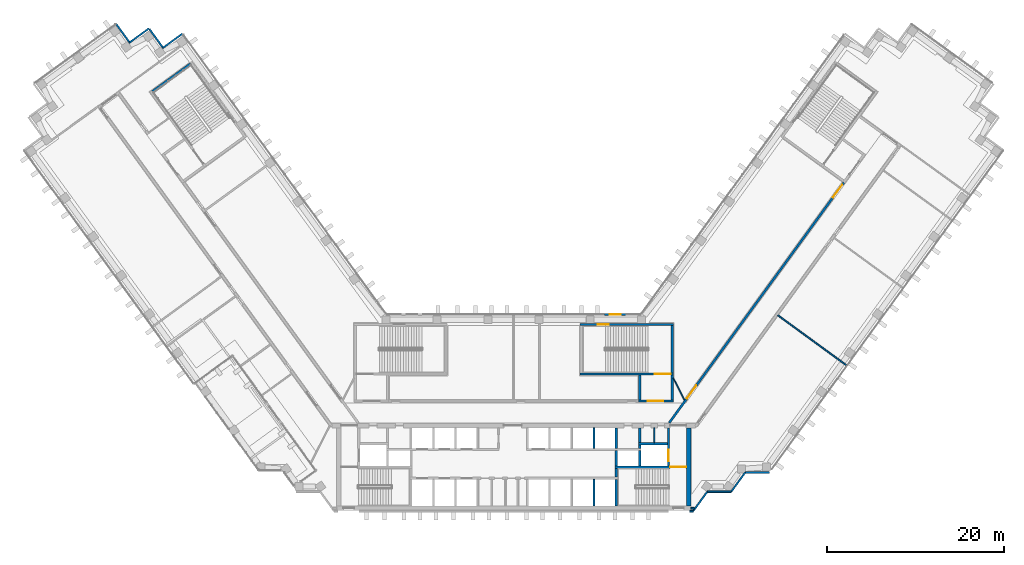
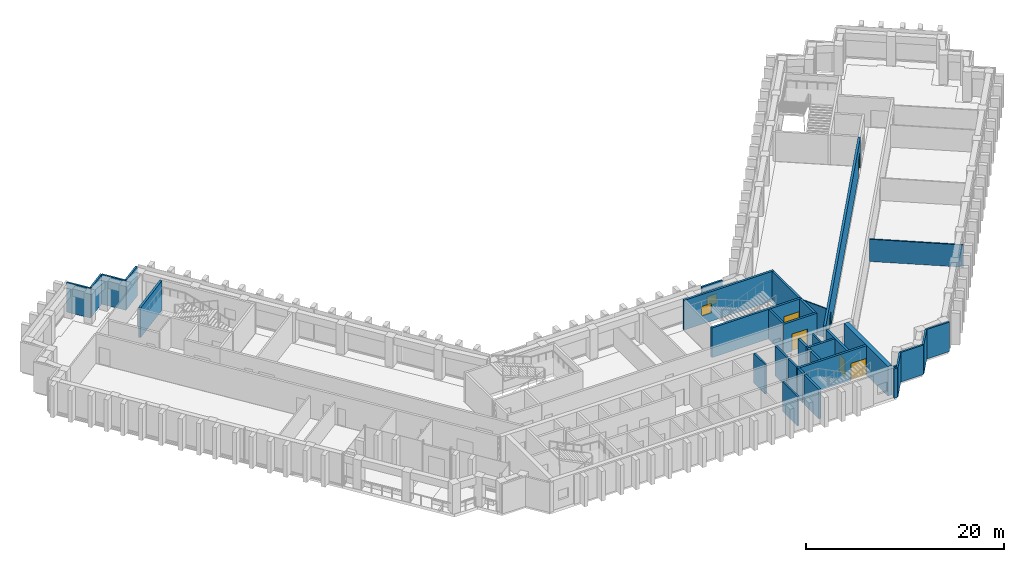
# One storey, part 11 of 16: 35 walls, 6 doors, 2 windows, 8 openings.
"""IFC4 building model written with IfcOpenShell, lengths in metres."""

from ifc_helpers import new_model, si_unit, direction, frame, frame_2d, origin, place, context, subcontext, project, spatial, rectangle, extrude, material, layer, layer_set, type_object, element, fill, save


model = new_model("IFC4")

# Units and contexts
model_context = context("Model", 3, precision=1e-05, world=origin(), true_north=direction((0.0, 1.0)))
body_context = subcontext(model_context, "Body", "Model", "MODEL_VIEW")
ifc_project = project(units=[si_unit("LENGTHUNIT", "METRE"), si_unit("AREAUNIT", "SQUARE_METRE"), si_unit("VOLUMEUNIT", "CUBIC_METRE"), si_unit("PLANEANGLEUNIT", "RADIAN"), si_unit("MASSUNIT", "GRAM", prefix="KILO")], contexts=[model_context])

# Site, building, storey
site_placement = place(None, origin())
site = spatial("IfcSite", under=ifc_project, at=site_placement, CompositionType="ELEMENT")
building_placement = place(site_placement, origin())
building = spatial("IfcBuilding", under=site, at=building_placement, Name="Quipu Civic Tower", CompositionType="ELEMENT")
storey_placement = place(building_placement, frame((0.0, 0.0, 63.0)))
storey = spatial("IfcBuildingStorey", under=building, at=storey_placement, Name="L14", CompositionType="ELEMENT", Elevation=63.0)

# Walls
ifc_material_1 = material(Name="Double gypsum plasterboard with mineral wool")
ifc_layer_1 = layer(ifc_material_1, 0.14990234375)
ifc_layer_set_1 = layer_set([ifc_layer_1], Name="Double gypsum plasterboard with mineral wool")
wall_type_1 = type_object("IfcWallType", Name="Acoustic partition 150 plasterboard", PredefinedType="PARTITIONING", material=ifc_layer_set_1)
wall_1_placement = place(storey_placement, frame((29.792724609375, 11.01220703125, 0.0), z_axis=(0.0, 0.0, 1.0), x_axis=(0.807645841498, -0.589667868135, 0.0)))
element("IfcWall", 1, at=wall_1_placement, inside=storey, type_object=wall_type_1, Name="Partition P08", PredefinedType="PARTITIONING", context=body_context, shape_type="SweptSolid", body=[
    extrude(rectangle(XDim=9.550537109375, YDim=0.14990234375, at=frame_2d((4.775390625, 0.0))), origin(), (0.0, 0.0, 1.0), 2.75),
])
ifc_material_2 = material(Name="Concrete C70/85", Category="concrete")
ifc_layer_2 = layer(ifc_material_2, 0.25)
ifc_layer_set_2 = layer_set([ifc_layer_2], Name="Concrete C70/85")
wall_type_2 = type_object("IfcWallType", Name="Core wall 250", PredefinedType="SHEAR", material=ifc_layer_set_2)
wall_2_placement = place(storey_placement, frame((11.574951171875, -10.5, 0.0), z_axis=(0.0, 0.0, 1.0), x_axis=(0.0, 1.0, 0.0)))
element("IfcWall", 2, at=wall_2_placement, inside=storey, type_object=wall_type_2, Name="Core wall", PredefinedType="SHEAR", context=body_context, shape_type="SweptSolid", body=[
    extrude(rectangle(XDim=3.0, YDim=0.25, at=frame_2d((1.5, 0.0))), origin(), (0.0, 0.0, 1.0), 3.64990234375),
])
wall_3_placement = place(storey_placement, frame((11.574951171875, -7.25, 0.0), z_axis=(0.0, 0.0, 1.0), x_axis=(0.0, 1.0, 0.0)))
element("IfcWall", 3, at=wall_3_placement, inside=storey, type_object=wall_type_2, Name="Core wall", PredefinedType="SHEAR", context=body_context, shape_type="SweptSolid", body=[
    extrude(rectangle(XDim=1.0, YDim=0.25, at=frame_2d((0.5, 0.0))), origin(), (0.0, 0.0, 1.0), 3.64990234375),
])

# Wall, opening, door
wall_4_placement = place(storey_placement, frame((19.5, -6.125, 0.0), z_axis=(0.0, 0.0, 1.0), x_axis=(-1.0, 0.0, 0.0)))
wall_4 = element("IfcWall", 4, at=wall_4_placement, inside=storey, type_object=wall_type_2, Name="Core wall", PredefinedType="SHEAR", context=body_context, shape_type="SweptSolid", body=[
    extrude(rectangle(XDim=8.050048828125, YDim=0.25, at=frame_2d((4.02490234375, 0.0))), origin(), (0.0, 0.0, 1.0), 3.64990234375),
])
opening_1_placement = place(wall_4_placement, frame((0.050048828125, 0.0, 0.0)))
opening_1 = element("IfcOpeningElement", 5, at=opening_1_placement, cuts=wall_4, Name="Opening CD-06", PredefinedType="OPENING", context=body_context, shape_type="SweptSolid", body=[
    extrude(rectangle(XDim=1.800048828125, YDim=2.10009765625, at=frame_2d((0.89990234375, 1.050048828125))), frame((0.0, 0.135009765625, 0.0), z_axis=(0.0, -1.0, 0.0), x_axis=(1.0, 0.0, 0.0)), (0.0, 0.0, 1.0), 0.27001953125),
])
ifc_material_3 = material(Name="Fire rated steel door", Category="steel")
door_type_1 = type_object("IfcDoorType", Name="Fire door FD90 double 1800 x 2100", OperationType="NOTDEFINED", PredefinedType="DOOR", material=ifc_material_3)
door_1_placement = place(opening_1_placement, origin())
door_1 = element("IfcDoor", 6, at=door_1_placement, inside=storey, type_object=door_type_1, Name="Door", OperationType="DOUBLE_DOOR_SINGLE_SWING", OverallHeight=2.10009765625, OverallWidth=1.800048828125, PredefinedType="DOOR", context=body_context, shape_type="SweptSolid", body=[
    extrude(rectangle(XDim=1.800048828125, YDim=2.10009765625, at=frame_2d((0.89990234375, 1.050048828125))), frame((0.0, 0.02490234375, 0.0), z_axis=(0.0, -1.0, 0.0), x_axis=(1.0, 0.0, 0.0)), (0.0, 0.0, 1.0), 0.050048828125),
])
fill(opening_1, door_1)

# Walls
for number, where, z_axis, x_axis, name in (
    (7, (11.574951171875, -6.0, 0.0), (0.0, 0.0, 1.0), (0.0, 1.0, 0.0), "Core wall"),
    (8, (14.22509765625, -6.0, 0.0), (0.0, 0.0, 1.0), (0.0, 1.0, 0.0), "Core wall"),
):
    element("IfcWall", number, at=place(storey_placement, frame(where, z_axis=z_axis, x_axis=x_axis)), inside=storey, type_object=wall_type_2, Name=name, PredefinedType="SHEAR", context=body_context, shape_type="SweptSolid", body=[
        extrude(rectangle(XDim=1.75, YDim=0.25, at=frame_2d((0.875, 0.0))), origin(), (0.0, 0.0, 1.0), 3.64990234375),
    ])

# Wall, opening, door
wall_5_placement = place(storey_placement, frame((17.47509765625, -6.0, 0.0), z_axis=(0.0, 0.0, 1.0), x_axis=(0.0, 1.0, 0.0)))
wall_5 = element("IfcWall", 9, at=wall_5_placement, inside=storey, type_object=wall_type_2, Name="Core wall", PredefinedType="SHEAR", context=body_context, shape_type="SweptSolid", body=[
    extrude(rectangle(XDim=4.300048828125, YDim=0.25, at=frame_2d((2.14990234375, 0.0))), origin(), (0.0, 0.0, 1.0), 3.64990234375),
])
opening_2_placement = place(wall_5_placement, frame((0.550048828125, 0.0, 0.0)))
opening_2 = element("IfcOpeningElement", 10, at=opening_2_placement, cuts=wall_5, Name="Opening LD-FF2", PredefinedType="OPENING", context=body_context, shape_type="SweptSolid", body=[
    extrude(rectangle(XDim=1.300048828125, YDim=2.10009765625, at=frame_2d((0.64990234375, 1.050048828125))), frame((0.0, 0.135009765625, 0.0), z_axis=(0.0, -1.0, 0.0), x_axis=(1.0, 0.0, 0.0)), (0.0, 0.0, 1.0), 0.27001953125),
])
ifc_material_4 = material(Name="Stainless steel", Category="steel")
door_type_2 = type_object("IfcDoorType", Name="Lift landing door 1300 x 2100", OperationType="DOUBLE_DOOR_SLIDING", PredefinedType="DOOR", material=ifc_material_4)
door_2_placement = place(opening_2_placement, origin())
door_2 = element("IfcDoor", 11, at=door_2_placement, inside=storey, type_object=door_type_2, Name="Landing door FF2", OperationType="DOUBLE_DOOR_SLIDING", OverallHeight=2.10009765625, OverallWidth=1.300048828125, PredefinedType="DOOR", context=body_context, shape_type="SweptSolid", body=[
    extrude(rectangle(XDim=1.300048828125, YDim=2.10009765625, at=frame_2d((0.64990234375, 1.050048828125))), frame((0.0, 0.02490234375, 0.0), z_axis=(0.0, -1.0, 0.0), x_axis=(1.0, 0.0, 0.0)), (0.0, 0.0, 1.0), 0.050048828125),
])
fill(opening_2, door_2)

# Walls
wall_6_placement = place(storey_placement, frame((11.574951171875, -4.0, 0.0), z_axis=(0.0, 0.0, 1.0), x_axis=(0.0, 1.0, 0.0)))
element("IfcWall", 12, at=wall_6_placement, inside=storey, type_object=wall_type_2, Name="Core wall", PredefinedType="SHEAR", context=body_context, shape_type="SweptSolid", body=[
    extrude(rectangle(XDim=2.300048828125, YDim=0.25, at=frame_2d((1.14990234375, 0.0))), origin(), (0.0, 0.0, 1.0), 3.64990234375),
])
wall_7_placement = place(storey_placement, frame((14.22509765625, -4.0, 0.0), z_axis=(0.0, 0.0, 1.0), x_axis=(0.0, 1.0, 0.0)))
element("IfcWall", 13, at=wall_7_placement, inside=storey, type_object=wall_type_2, Name="Core wall", PredefinedType="SHEAR", context=body_context, shape_type="SweptSolid", body=[
    extrude(rectangle(XDim=0.39990234375, YDim=0.25, at=frame_2d((0.199951171875, 0.0))), origin(), (0.0, 0.0, 1.0), 3.64990234375),
])
wall_8_placement = place(storey_placement, frame((14.10009765625, -3.47509765625, 0.0), z_axis=(0.0, 0.0, 1.0), x_axis=(1.0, 0.0, 0.0)))
element("IfcWall", 14, at=wall_8_placement, inside=storey, type_object=wall_type_2, Name="Core wall", PredefinedType="SHEAR", context=body_context, shape_type="SweptSolid", body=[
    extrude(rectangle(XDim=3.25, YDim=0.25, at=frame_2d((1.625, 0.0))), origin(), (0.0, 0.0, 1.0), 3.64990234375),
])
wall_9_placement = place(storey_placement, frame((14.22509765625, -3.35009765625, 0.0), z_axis=(0.0, 0.0, 1.0), x_axis=(0.0, 1.0, 0.0)))
element("IfcWall", 15, at=wall_9_placement, inside=storey, type_object=wall_type_2, Name="Core wall", PredefinedType="SHEAR", context=body_context, shape_type="SweptSolid", body=[
    extrude(rectangle(XDim=1.650146484375, YDim=0.25, at=frame_2d((0.8251953125, 0.0))), origin(), (0.0, 0.0, 1.0), 3.64990234375),
])

# Wall, opening, door
wall_10_placement = place(storey_placement, frame((14.10009765625, 1.324951171875, 0.0), z_axis=(0.0, 0.0, 1.0), x_axis=(1.0, 0.0, 0.0)))
wall_10 = element("IfcWall", 16, at=wall_10_placement, inside=storey, type_object=wall_type_2, Name="Core wall", PredefinedType="SHEAR", context=body_context, shape_type="SweptSolid", body=[
    extrude(rectangle(XDim=3.89990234375, YDim=0.25, at=frame_2d((1.949951171875, 0.0))), origin(), (0.0, 0.0, 1.0), 3.64990234375),
])
opening_3_placement = place(wall_10_placement, frame((1.0, 0.0, 0.0)))
opening_3 = element("IfcOpeningElement", 17, at=opening_3_placement, cuts=wall_10, Name="Opening CD-18", PredefinedType="OPENING", context=body_context, shape_type="SweptSolid", body=[
    extrude(rectangle(XDim=1.800048828125, YDim=2.10009765625, at=frame_2d((0.89990234375, 1.050048828125))), frame((0.0, 0.135009765625, 0.0), z_axis=(0.0, -1.0, 0.0), x_axis=(1.0, 0.0, 0.0)), (0.0, 0.0, 1.0), 0.27001953125),
])
door_3_placement = place(opening_3_placement, origin())
door_3 = element("IfcDoor", 18, at=door_3_placement, inside=storey, type_object=door_type_1, Name="Lobby door", OperationType="DOUBLE_DOOR_SINGLE_SWING", OverallHeight=2.10009765625, OverallWidth=1.800048828125, PredefinedType="DOOR", context=body_context, shape_type="SweptSolid", body=[
    extrude(rectangle(XDim=1.800048828125, YDim=2.10009765625, at=frame_2d((0.89990234375, 1.050048828125))), frame((0.0, 0.02490234375, 0.0), z_axis=(0.0, -1.0, 0.0), x_axis=(1.0, 0.0, 0.0)), (0.0, 0.0, 1.0), 0.050048828125),
])
fill(opening_3, door_3)

# Walls
for number, where, z_axis, x_axis, name in (
    (19, (14.22509765625, 1.449951171875, 0.0), (0.0, 0.0, 1.0), (0.0, 1.0, 0.0), "Core wall"),
    (20, (17.875, 1.449951171875, 0.0), (0.0, 0.0, 1.0), (0.0, 1.0, 0.0), "Core wall"),
):
    element("IfcWall", number, at=place(storey_placement, frame(where, z_axis=z_axis, x_axis=x_axis)), inside=storey, type_object=wall_type_2, Name=name, PredefinedType="SHEAR", context=body_context, shape_type="SweptSolid", body=[
        extrude(rectangle(XDim=2.800048828125, YDim=0.25, at=frame_2d((1.39990234375, 0.0))), origin(), (0.0, 0.0, 1.0), 3.64990234375),
    ])

# Wall, opening, door
wall_11_placement = place(storey_placement, frame((7.5, 4.375, 0.0), z_axis=(0.0, 0.0, 1.0), x_axis=(1.0, 0.0, 0.0)))
wall_11 = element("IfcWall", 21, at=wall_11_placement, inside=storey, type_object=wall_type_2, Name="Core wall", PredefinedType="SHEAR", context=body_context, shape_type="SweptSolid", body=[
    extrude(rectangle(XDim=10.5, YDim=0.25, at=frame_2d((5.25, 0.0))), origin(), (0.0, 0.0, 1.0), 3.64990234375),
])
opening_4_placement = place(wall_11_placement, frame((8.39990234375, 0.0, 0.0)))
opening_4 = element("IfcOpeningElement", 22, at=opening_4_placement, cuts=wall_11, Name="Opening CD-19", PredefinedType="OPENING", context=body_context, shape_type="SweptSolid", body=[
    extrude(rectangle(XDim=1.800048828125, YDim=2.10009765625, at=frame_2d((0.89990234375, 1.050048828125))), frame((0.0, 0.135009765625, 0.0), z_axis=(0.0, -1.0, 0.0), x_axis=(1.0, 0.0, 0.0)), (0.0, 0.0, 1.0), 0.27001953125),
])
door_4_placement = place(opening_4_placement, origin())
door_4 = element("IfcDoor", 23, at=door_4_placement, inside=storey, type_object=door_type_1, Name="Door", OperationType="DOUBLE_DOOR_SINGLE_SWING", OverallHeight=2.10009765625, OverallWidth=1.800048828125, PredefinedType="DOOR", context=body_context, shape_type="SweptSolid", body=[
    extrude(rectangle(XDim=1.800048828125, YDim=2.10009765625, at=frame_2d((0.89990234375, 1.050048828125))), frame((0.0, 0.02490234375, 0.0), z_axis=(0.0, -1.0, 0.0), x_axis=(1.0, 0.0, 0.0)), (0.0, 0.0, 1.0), 0.050048828125),
])
fill(opening_4, door_4)

# Wall
wall_12_placement = place(storey_placement, frame((17.875, 4.5, 0.0), z_axis=(0.0, 0.0, 1.0), x_axis=(0.0, 1.0, 0.0)))
element("IfcWall", 24, at=wall_12_placement, inside=storey, type_object=wall_type_2, Name="Core wall", PredefinedType="SHEAR", context=body_context, shape_type="SweptSolid", body=[
    extrude(rectangle(XDim=5.35009765625, YDim=0.25, at=frame_2d((2.675048828125, 0.0))), origin(), (0.0, 0.0, 1.0), 3.64990234375),
])

# Wall, opening, window
wall_13_placement = place(storey_placement, frame((7.5, 9.97509765625, 0.0), z_axis=(0.0, 0.0, 1.0), x_axis=(1.0, 0.0, 0.0)))
wall_13 = element("IfcWall", 25, at=wall_13_placement, inside=storey, type_object=wall_type_2, Name="Core wall", PredefinedType="SHEAR", context=body_context, shape_type="SweptSolid", body=[
    extrude(rectangle(XDim=10.5, YDim=0.25, at=frame_2d((5.25, 0.0))), origin(), (0.0, 0.0, 1.0), 3.64990234375),
])
opening_5_placement = place(wall_13_placement, frame((2.0, 0.0, 1.0)))
opening_5 = element("IfcOpeningElement", 26, at=opening_5_placement, cuts=wall_13, Name="Opening SV-4", PredefinedType="OPENING", context=body_context, shape_type="SweptSolid", body=[
    extrude(rectangle(XDim=1.199951171875, YDim=1.199951171875, at=frame_2d((0.60009765625, 0.60009765625))), frame((0.0, 0.135009765625, 0.0), z_axis=(0.0, -1.0, 0.0), x_axis=(1.0, 0.0, 0.0)), (0.0, 0.0, 1.0), 0.27001953125),
])
ifc_material_5 = material(Name="Aluminium louvre", Category="aluminium")
window_type_1 = type_object("IfcWindowType", Name="Stair ventilation louvre 1200 x 1200", PartitioningType="SINGLE_PANEL", PredefinedType="WINDOW", material=ifc_material_5)
window_1_placement = place(opening_5_placement, origin())
window_1 = element("IfcWindow", 27, at=window_1_placement, inside=storey, type_object=window_type_1, Name="Stair ventilation opening", OverallHeight=1.199951171875, OverallWidth=1.199951171875, PartitioningType="SINGLE_PANEL", PredefinedType="WINDOW", context=body_context, shape_type="SweptSolid", body=[
    extrude(rectangle(XDim=1.199951171875, YDim=1.199951171875, at=frame_2d((0.60009765625, 0.60009765625))), frame((0.0, 0.030029296875, 0.0), z_axis=(0.0, -1.0, 0.0), x_axis=(1.0, 0.0, 0.0)), (0.0, 0.0, 1.0), 0.06005859375),
])
fill(opening_5, window_1)

# Walls
wall_14_placement = place(storey_placement, frame((-36.43896484375, 39.384033203125, 0.0), z_axis=(0.0, 0.0, 1.0), x_axis=(-0.809020161303, -0.587780893365, 0.0)))
element("IfcWall", 28, at=wall_14_placement, inside=storey, type_object=wall_type_2, Name="Core wall", PredefinedType="SHEAR", context=body_context, shape_type="SweptSolid", body=[
    extrude(rectangle(XDim=5.349853515625, YDim=0.25, at=frame_2d((2.6748046875, 0.0))), origin(), (0.0, 0.0, 1.0), 3.64990234375),
])
ifc_material_6 = material(Name="Concrete C70/85", Category="concrete")
ifc_layer_3 = layer(ifc_material_6, 0.5)
ifc_layer_set_3 = layer_set([ifc_layer_3], Name="Concrete C70/85")
wall_type_3 = type_object("IfcWallType", Name="Core wall 500", PredefinedType="SHEAR", material=ifc_layer_set_3)
wall_15_placement = place(storey_placement, frame((19.75, -10.5, 0.0), z_axis=(0.0, 0.0, 1.0), x_axis=(0.0, 1.0, 0.0)))
element("IfcWall", 29, at=wall_15_placement, inside=storey, type_object=wall_type_3, Name="Core wall", PredefinedType="SHEAR", context=body_context, shape_type="SweptSolid", body=[
    extrude(rectangle(XDim=8.800048828125, YDim=0.5, at=frame_2d((4.39990234375, 0.0))), origin(), (0.0, 0.0, 1.0), 3.64990234375),
])

# Wall, openings, doors
ifc_material_7 = material(Name="Concrete C50/60", Category="concrete")
ifc_layer_4 = layer(ifc_material_7, 0.25)
ifc_layer_set_4 = layer_set([ifc_layer_4], Name="Concrete C50/60")
wall_type_4 = type_object("IfcWallType", Name="Corridor wall 250 concrete", PredefinedType="SOLIDWALL", material=ifc_layer_set_4)
wall_16_placement = place(storey_placement, frame((17.544921875, -1.124755859375, 0.0), z_axis=(0.0, 0.0, 1.0), x_axis=(0.587786323093, 0.809016216391, 0.0)))
wall_16 = element("IfcWall", 30, at=wall_16_placement, inside=storey, type_object=wall_type_4, Name="Corridor wall C06", PredefinedType="SOLIDWALL", context=body_context, shape_type="SweptSolid", body=[
    extrude(rectangle(XDim=33.4931640625, YDim=0.25, at=frame_2d((16.74658203125, 0.0))), origin(), (0.0, 0.0, 1.0), 3.64990234375),
])
opening_6_placement = place(wall_16_placement, frame((31.402587890625, 0.0, 0.0)))
opening_6 = element("IfcOpeningElement", 31, at=opening_6_placement, cuts=wall_16, Name="Opening D001", PredefinedType="OPENING", context=body_context, shape_type="SweptSolid", body=[
    extrude(rectangle(XDim=1.800048828125, YDim=2.10009765625, at=frame_2d((0.89990234375, 1.050048828125))), frame((0.0, 0.135009765625, 0.0), z_axis=(0.0, -1.0, 0.0), x_axis=(1.0, 0.0, 0.0)), (0.0, 0.0, 1.0), 0.27001953125),
])
opening_7_placement = place(wall_16_placement, frame((3.39208984375, 0.0, 0.0)))
opening_7 = element("IfcOpeningElement", 32, at=opening_7_placement, cuts=wall_16, Name="Opening D002", PredefinedType="OPENING", context=body_context, shape_type="SweptSolid", body=[
    extrude(rectangle(XDim=1.800048828125, YDim=2.10009765625, at=frame_2d((0.89990234375, 1.050048828125))), frame((0.0, 0.135009765625, 0.0), z_axis=(0.0, -1.0, 0.0), x_axis=(1.0, 0.0, 0.0)), (0.0, 0.0, 1.0), 0.27001953125),
])
ifc_material_8 = material(Name="Fire rated timber door set with metal frame", Category="wood")
door_type_3 = type_object("IfcDoorType", Name="Double door 1800 x 2100 FD60", OperationType="DOUBLE_DOOR_SINGLE_SWING", PredefinedType="DOOR", material=ifc_material_8)
door_5_placement = place(opening_6_placement, origin())
door_5 = element("IfcDoor", 33, at=door_5_placement, inside=storey, type_object=door_type_3, Name="Door D001", OperationType="DOUBLE_DOOR_SINGLE_SWING", OverallHeight=2.10009765625, OverallWidth=1.800048828125, PredefinedType="DOOR", context=body_context, shape_type="SweptSolid", body=[
    extrude(rectangle(XDim=1.800048828125, YDim=2.10009765625, at=frame_2d((0.89990234375, 1.050048828125))), frame((0.0, 0.02490234375, 0.0), z_axis=(0.0, -1.0, 0.0), x_axis=(1.0, 0.0, 0.0)), (0.0, 0.0, 1.0), 0.050048828125),
])
fill(opening_6, door_5)
door_6_placement = place(opening_7_placement, origin())
door_6 = element("IfcDoor", 34, at=door_6_placement, inside=storey, type_object=door_type_3, Name="Door D002", OperationType="DOUBLE_DOOR_SINGLE_SWING", OverallHeight=2.10009765625, OverallWidth=1.800048828125, PredefinedType="DOOR", context=body_context, shape_type="SweptSolid", body=[
    extrude(rectangle(XDim=1.800048828125, YDim=2.10009765625, at=frame_2d((0.89990234375, 1.050048828125))), frame((0.0, 0.02490234375, 0.0), z_axis=(0.0, -1.0, 0.0), x_axis=(1.0, 0.0, 0.0)), (0.0, 0.0, 1.0), 0.050048828125),
])
fill(opening_7, door_6)

# Walls
ifc_material_9 = material(Name="Gypsum plasterboard on light gauge framing")
ifc_layer_5 = layer(ifc_material_9, 0.1201171875)
ifc_layer_set_5 = layer_set([ifc_layer_5], Name="Gypsum plasterboard on light gauge framing")
wall_type_5 = type_object("IfcWallType", Name="Partition 120 plasterboard", PredefinedType="PARTITIONING", material=ifc_layer_set_5)
wall_17_placement = place(storey_placement, frame((18.0, 3.925048828125, 0.0), z_axis=(0.0, 0.0, 1.0), x_axis=(0.453950796792, -0.891026752736, 0.0)))
element("IfcWall", 35, at=wall_17_placement, inside=storey, type_object=wall_type_5, Name="Partition P14", PredefinedType="PARTITIONING", context=body_context, shape_type="SweptSolid", body=[
    extrude(rectangle(XDim=2.77783203125, YDim=0.1201171875, at=frame_2d((1.388916015625, 0.0))), origin(), (0.0, 0.0, 1.0), 3.64990234375),
])
ifc_material_10 = material(Name="Gypsum board partition")
ifc_layer_6 = layer(ifc_material_10, 0.14990234375)
ifc_layer_set_6 = layer_set([ifc_layer_6], Name="Gypsum board partition")
wall_type_6 = type_object("IfcWallType", Name="Partition 150", PredefinedType="PARTITIONING", material=ifc_layer_set_6)
wall_18_placement = place(storey_placement, frame((15.85009765625, -3.35009765625, 0.0), z_axis=(0.0, 0.0, 1.0), x_axis=(0.0, 1.0, 0.0)))
element("IfcWall", 36, at=wall_18_placement, inside=storey, type_object=wall_type_6, Name="Partition", PredefinedType="PARTITIONING", context=body_context, shape_type="SweptSolid", body=[
    extrude(rectangle(XDim=1.650146484375, YDim=0.14990234375, at=frame_2d((0.8251953125, 0.0))), origin(), (0.0, 0.0, 1.0), 3.64990234375),
])
ifc_material_11 = material(Name="Precast concrete C40/50", Category="concrete")
wall_type_7 = type_object("IfcWallType", Name="Precast cladding wall", PredefinedType="SOLIDWALL", material=ifc_material_11)
wall_19_placement = place(storey_placement, frame((-37.352783203125, 42.768310546875, 0.0), z_axis=(0.0, 0.0, 1.0), x_axis=(-0.809033161865, -0.587762999008, 0.0)))
element("IfcWall", 37, at=wall_19_placement, inside=storey, type_object=wall_type_7, Name="Precast cladding wall L14 P02", PredefinedType="SOLIDWALL", context=body_context, shape_type="SweptSolid", body=[
    extrude(rectangle(XDim=2.699951171875, YDim=0.199951171875, at=frame_2d((1.35009765625, 0.0))), origin(), (0.0, 0.0, 1.0), 3.64990234375),
])
wall_20_placement = place(storey_placement, frame((-39.488037109375, 41.093505859375, 0.0), z_axis=(0.0, 0.0, 1.0), x_axis=(-0.587806000234, 0.809001919707, 0.0)))
element("IfcWall", 38, at=wall_20_placement, inside=storey, type_object=wall_type_7, Name="Precast cladding wall L14 P03", PredefinedType="SOLIDWALL", context=body_context, shape_type="SweptSolid", body=[
    extrude(rectangle(XDim=2.69970703125, YDim=0.199951171875, at=frame_2d((1.349853515625, 0.0))), origin(), (0.0, 0.0, 1.0), 3.64990234375),
])
for number, where, z_axis, x_axis, name in (
    (39, (-41.1240234375, 43.36572265625, 0.0), (0.0, 0.0, 1.0), (-0.809033161865, -0.587762999008, 0.0), "Precast cladding wall L14 P04"),
    (40, (-43.25927734375, 41.690673828125, 0.0), (0.0, 0.0, 1.0), (-0.587822180636, 0.808990163075, 0.0), "Precast cladding wall L14 P05"),
):
    element("IfcWall", number, at=place(storey_placement, frame(where, z_axis=z_axis, x_axis=x_axis)), inside=storey, type_object=wall_type_7, Name=name, PredefinedType="SOLIDWALL", context=body_context, shape_type="SweptSolid", body=[
        extrude(rectangle(XDim=2.699951171875, YDim=0.199951171875, at=frame_2d((1.35009765625, 0.0))), origin(), (0.0, 0.0, 1.0), 3.64990234375),
    ])
wall_21_placement = place(storey_placement, frame((19.85009765625, -11.087890625, 0.0), z_axis=(0.0, 0.0, 1.0), x_axis=(1.0, 0.0, 0.0)))
element("IfcWall", 41, at=wall_21_placement, inside=storey, type_object=wall_type_7, Name="Precast cladding wall L14 P13", PredefinedType="SOLIDWALL", context=body_context, shape_type="SweptSolid", body=[
    extrude(rectangle(XDim=0.40576171875, YDim=0.199951171875, at=frame_2d((0.202880859375, 0.0))), origin(), (0.0, 0.0, 1.0), 3.64990234375),
])
wall_22_placement = place(storey_placement, frame((20.253173828125, -11.083251953125, 0.0), z_axis=(0.0, 0.0, 1.0), x_axis=(0.587766567315, 0.809030569476, 0.0)))
element("IfcWall", 42, at=wall_22_placement, inside=storey, type_object=wall_type_7, Name="Precast cladding wall L14 P14", PredefinedType="SOLIDWALL", context=body_context, shape_type="SweptSolid", body=[
    extrude(rectangle(XDim=2.687744140625, YDim=0.199951171875, at=frame_2d((1.34375, 0.0))), origin(), (0.0, 0.0, 1.0), 3.64990234375),
])
wall_23_placement = place(storey_placement, frame((21.8427734375, -8.90380859375, 0.0), z_axis=(0.0, 0.0, 1.0), x_axis=(1.0, 0.0, 0.0)))
element("IfcWall", 43, at=wall_23_placement, inside=storey, type_object=wall_type_7, Name="Precast cladding wall L14 P15", PredefinedType="SOLIDWALL", context=body_context, shape_type="SweptSolid", body=[
    extrude(rectangle(XDim=2.699951171875, YDim=0.199951171875, at=frame_2d((1.35009765625, 0.0))), origin(), (0.0, 0.0, 1.0), 3.64990234375),
])
wall_24_placement = place(storey_placement, frame((24.533203125, -8.90869140625, 0.0), z_axis=(0.0, 0.0, 1.0), x_axis=(0.587720002413, 0.809064397168, 0.0)))
element("IfcWall", 44, at=wall_24_placement, inside=storey, type_object=wall_type_7, Name="Precast cladding wall L14 P16", PredefinedType="SOLIDWALL", context=body_context, shape_type="SweptSolid", body=[
    extrude(rectangle(XDim=2.7001953125, YDim=0.199951171875, at=frame_2d((1.35009765625, 0.0))), origin(), (0.0, 0.0, 1.0), 3.64990234375),
])
wall_25_placement = place(storey_placement, frame((26.1298828125, -6.71923828125, 0.0), z_axis=(0.0, 0.0, 1.0), x_axis=(1.0, 0.0, 0.0)))
element("IfcWall", 45, at=wall_25_placement, inside=storey, type_object=wall_type_7, Name="Precast cladding wall L14 P17", PredefinedType="SOLIDWALL", context=body_context, shape_type="SweptSolid", body=[
    extrude(rectangle(XDim=2.699951171875, YDim=0.199951171875, at=frame_2d((1.35009765625, 0.0))), origin(), (0.0, 0.0, 1.0), 3.64990234375),
])

# Wall, opening, window
wall_26_placement = place(storey_placement, frame((12.655029296875, 11.10009765625, 0.0), z_axis=(0.0, 0.0, 1.0), x_axis=(-1.0, 0.0, 0.0)))
wall_26 = element("IfcWall", 46, at=wall_26_placement, inside=storey, type_object=wall_type_7, Name="Vent surround SF-L12-2", PredefinedType="SOLIDWALL", context=body_context, shape_type="SweptSolid", body=[
    extrude(rectangle(XDim=2.3916015625, YDim=0.199951171875, at=frame_2d((1.19580078125, 0.0))), origin(), (0.0, 0.0, 1.0), 3.64990234375),
])
opening_8_placement = place(wall_26_placement, frame((0.595703125, 0.0, 1.0)))
opening_8 = element("IfcOpeningElement", 47, at=opening_8_placement, cuts=wall_26, Name="Opening SF-L12-2", PredefinedType="OPENING", context=body_context, shape_type="SweptSolid", body=[
    extrude(rectangle(XDim=1.199951171875, YDim=1.199951171875, at=frame_2d((0.60009765625, 0.60009765625))), frame((0.0, 0.10986328125, 0.0), z_axis=(0.0, -1.0, 0.0), x_axis=(1.0, 0.0, 0.0)), (0.0, 0.0, 1.0), 0.219970703125),
])
ifc_material_12 = material(Name="Anodised aluminium louvre", Category="aluminium")
window_type_2 = type_object("IfcWindowType", Name="Stair vent louvre window P3", PartitioningType="SINGLE_PANEL", PredefinedType="WINDOW", material=ifc_material_12)
window_2_placement = place(opening_8_placement, origin())
window_2 = element("IfcWindow", 48, at=window_2_placement, inside=storey, type_object=window_type_2, Name="Stair vent louvre SF-L12-2", OverallHeight=1.199951171875, OverallWidth=1.199951171875, PartitioningType="SINGLE_PANEL", PredefinedType="WINDOW", context=body_context, shape_type="SweptSolid", body=[
    extrude(rectangle(XDim=1.199951171875, YDim=1.199951171875, at=frame_2d((0.60009765625, 0.60009765625))), frame((0.0, 0.030029296875, 0.0), z_axis=(0.0, -1.0, 0.0), x_axis=(1.0, 0.0, 0.0)), (0.0, 0.0, 1.0), 0.06005859375),
])
fill(opening_8, window_2)

# Walls
wall_27_placement = place(storey_placement, frame((19.97998046875, -10.75, 0.0), z_axis=(0.0, 0.0, 1.0), x_axis=(1.0, 0.0, 0.0)))
element("IfcWall", 49, at=wall_27_placement, inside=storey, type_object=wall_type_7, Name="Precast cladding return L14 E", PredefinedType="SOLIDWALL", context=body_context, shape_type="SweptSolid", body=[
    extrude(rectangle(XDim=0.41650390625, YDim=0.199951171875, at=frame_2d((0.208251953125, 0.0))), origin(), (0.0, 0.0, 1.0), 3.64990234375),
])
ifc_material_13 = material(Name="Concrete C40/50", Category="concrete")
ifc_layer_7 = layer(ifc_material_13, 0.199951171875)
ifc_layer_set_7 = layer_set([ifc_layer_7], Name="Concrete C40/50")
wall_type_8 = type_object("IfcWallType", Name="Shaft wall 200", PredefinedType="SOLIDWALL", material=ifc_layer_set_7)
wall_28_placement = place(storey_placement, frame((9.050048828125, -10.5, 0.0), z_axis=(0.0, 0.0, 1.0), x_axis=(0.0, 1.0, 0.0)))
element("IfcWall", 50, at=wall_28_placement, inside=storey, type_object=wall_type_8, Name="Shaft wall", PredefinedType="SOLIDWALL", context=body_context, shape_type="SweptSolid", body=[
    extrude(rectangle(XDim=3.0, YDim=0.199951171875, at=frame_2d((1.5, 0.0))), origin(), (0.0, 0.0, 1.0), 3.64990234375),
])
wall_29_placement = place(storey_placement, frame((9.050048828125, -4.0, 0.0), z_axis=(0.0, 0.0, 1.0), x_axis=(0.0, 1.0, 0.0)))
element("IfcWall", 51, at=wall_29_placement, inside=storey, type_object=wall_type_8, Name="Shaft wall", PredefinedType="SOLIDWALL", context=body_context, shape_type="SweptSolid", body=[
    extrude(rectangle(XDim=2.300048828125, YDim=0.199951171875, at=frame_2d((1.14990234375, 0.0))), origin(), (0.0, 0.0, 1.0), 3.64990234375),
])

save(model, "model.ifc")
